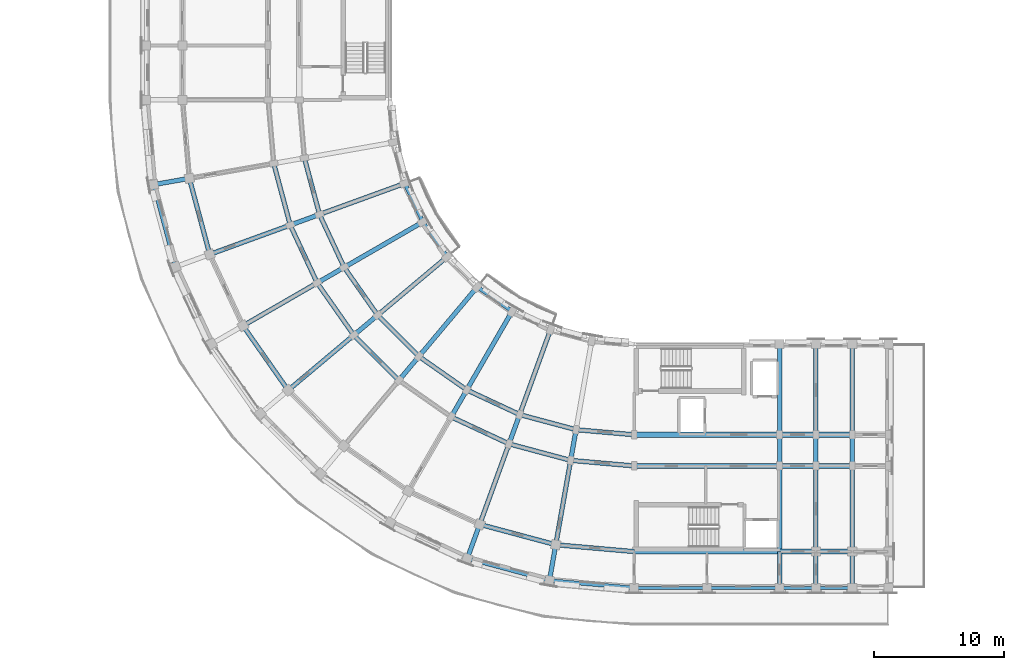
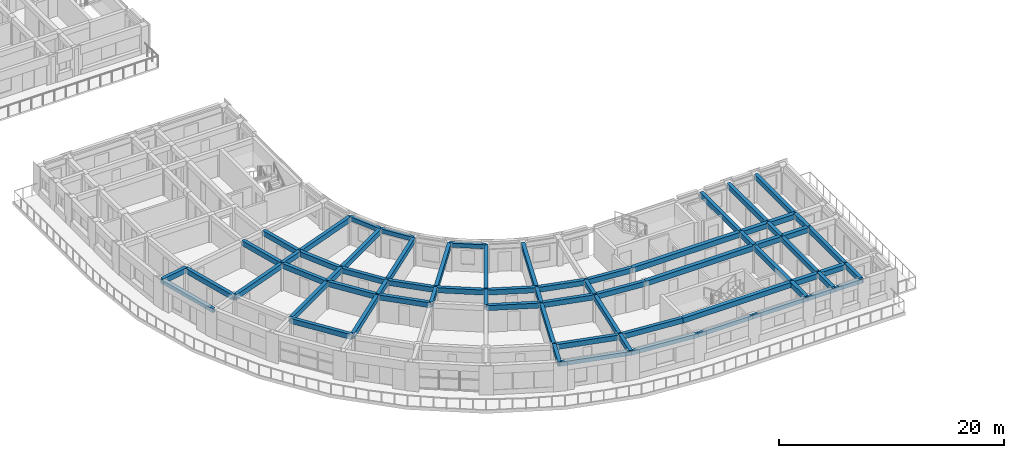
# One storey, part 5 of 54: 71 beams.
"""IFC4 building model written with IfcOpenShell, lengths in metres."""

import ifcopenshell
import ifcopenshell.guid

model = None  # the IFC model being written
_history = None  # IfcOwnerHistory: only IFC2X3 demands one
_inside = {}  # id of a spatial element -> (the spatial element, [elements in it])
_under = {}  # id of a project, library or spatial element -> (it, [spatial elements below it])
_declared = {}  # id of a project -> (the project, [libraries it declares])
_typed = {}  # id of a type object -> (the type object, [elements of that type])
_made_of = {}  # id of a material, layer set ... -> (it, [elements and type objects made of it])


def new_model(schema):
    """Start an empty IFC model of exactly this schema.

    Asked for "IFC4X3", IfcOpenShell would pick the latest addendum, in which some entities
    have other attributes; the version numbers below select the first issue.
    IFC2X3 requires an IfcOwnerHistory on every rooted entity: one is made here for all.
    """
    global model, _history
    if schema == "IFC4X3":
        model = ifcopenshell.file(schema_version=(4, 3, 0, 0))
    else:
        model = ifcopenshell.file(schema=schema)
    _inside.clear()
    _under.clear()
    _declared.clear()
    _typed.clear()
    _made_of.clear()
    _history = None
    if model.schema == "IFC2X3":
        org = make("IfcOrganization", Name="unknown")
        user = make(
            "IfcPersonAndOrganization",
            ThePerson=make("IfcPerson", FamilyName="unknown"),
            TheOrganization=org,
        )
        app = make(
            "IfcApplication",
            ApplicationDeveloper=org,
            Version="unknown",
            ApplicationFullName="unknown",
            ApplicationIdentifier="unknown",
        )
        _history = make(
            "IfcOwnerHistory",
            OwningUser=user,
            OwningApplication=app,
            ChangeAction="ADDED",
            CreationDate=0,
        )
    return model


def make(cls, **values):
    """One entity of the class cls with the attributes given. An attribute that is None is left unset."""
    return model.create_entity(
        cls, **{name: value for name, value in values.items() if value is not None}
    )


def rooted(cls, **values):
    """An entity with a GlobalId (a new one), such as an element, a storey or a relation."""
    return make(cls, GlobalId=ifcopenshell.guid.new(), OwnerHistory=_history, **values)


def si_unit(unit_type, name, prefix=None):
    """IfcSIUnit, for example si_unit("LENGTHUNIT", "METRE", prefix="MILLI")."""
    return make("IfcSIUnit", UnitType=unit_type, Prefix=prefix, Name=name)


def assignment(units):
    """IfcUnitAssignment: the units of a project."""
    return None if units is None else make("IfcUnitAssignment", Units=units)


def point(xyz):
    """IfcCartesianPoint."""
    return None if xyz is None else make("IfcCartesianPoint", Coordinates=xyz)


def direction(xyz):
    """IfcDirection."""
    return None if xyz is None else make("IfcDirection", DirectionRatios=xyz)


def frame(location, z_axis=None, x_axis=None):
    """IfcAxis2Placement3D, a coordinate frame: its origin and axes. An axis left out is left unset."""
    return make(
        "IfcAxis2Placement3D",
        Location=point(location),
        Axis=direction(z_axis),
        RefDirection=direction(x_axis),
    )


def frame_2d(location, x_axis=None):
    """IfcAxis2Placement2D, a coordinate frame in the plane: its origin and x axis."""
    return make(
        "IfcAxis2Placement2D", Location=point(location), RefDirection=direction(x_axis)
    )


def origin():
    """The frame at (0, 0, 0) with its axes left unset."""
    return frame((0.0, 0.0, 0.0))


def origin_2d():
    """The frame at (0, 0) in the plane with its x axis left unset."""
    return frame_2d((0.0, 0.0))


def place(relative_to, where):
    """IfcLocalPlacement: puts the frame where relative to a parent placement (None: the world)."""
    return make(
        "IfcLocalPlacement", PlacementRelTo=relative_to, RelativePlacement=where
    )


def context(
    kind, dimensions, precision=None, world=None, true_north=None, identifier=None
):
    """IfcGeometricRepresentationContext, for example the 3D "Model" context."""
    return make(
        "IfcGeometricRepresentationContext",
        ContextIdentifier=identifier,
        ContextType=kind,
        CoordinateSpaceDimension=dimensions,
        Precision=precision,
        WorldCoordinateSystem=world,
        TrueNorth=true_north,
    )


def subcontext(parent, identifier, kind, view, scale=None):
    """IfcGeometricRepresentationSubContext, for example "Body" below "Model"."""
    return make(
        "IfcGeometricRepresentationSubContext",
        ContextIdentifier=identifier,
        ContextType=kind,
        ParentContext=parent,
        TargetScale=scale,
        TargetView=view,
    )


def project(units=None, contexts=None):
    """IfcProject with its units and contexts."""
    return rooted(
        "IfcProject",
        Name="project",
        RepresentationContexts=contexts,
        UnitsInContext=assignment(units),
    )


def spatial(cls, under=None, at=None, **own):
    """A site, building, storey or space (cls), placed at a placement, below another one or the project."""
    s = rooted(cls, ObjectPlacement=at, **own)
    if under is not None:
        _under.setdefault(under.id(), (under, []))[1].append(s)
    return s


def profile(cls, at=None, kind="AREA", **sizes):
    """A parametric profile (cls). Its sizes go by their IFC names, for example OverallWidth=200.0."""
    return make(cls, ProfileType=kind, Position=at, **sizes)


def rectangle(**sizes):
    """IfcRectangleProfileDef."""
    return profile("IfcRectangleProfileDef", **sizes)


def extrude(swept, where, along, depth):
    """IfcExtrudedAreaSolid: the profile swept, set in the frame where, extruded along a direction by depth."""
    return make(
        "IfcExtrudedAreaSolid",
        SweptArea=swept,
        Position=where,
        ExtrudedDirection=direction(along),
        Depth=depth,
    )


def shape(context_of_items, identifier, shape_type, items):
    """IfcShapeRepresentation: the items that make up one representation, for example the "Body"."""
    return make(
        "IfcShapeRepresentation",
        ContextOfItems=context_of_items,
        RepresentationIdentifier=identifier,
        RepresentationType=shape_type,
        Items=items,
    )


def material(Name=None, Category=None):
    """IfcMaterial."""
    return make("IfcMaterial", Name=Name, Category=Category)


def material_profile(
    of_material, cross_section, Name=None, Category=None, Priority=None
):
    """IfcMaterialProfile: a cross section and its material."""
    return make(
        "IfcMaterialProfile",
        Name=Name,
        Material=of_material,
        Profile=cross_section,
        Priority=Priority,
        Category=Category,
    )


def profile_set(profiles, Name=None, composite=None):
    """IfcMaterialProfileSet."""
    return make(
        "IfcMaterialProfileSet",
        Name=Name,
        MaterialProfiles=profiles,
        CompositeProfile=composite,
    )


def made_of(thing, what):
    """Note that an element or type object is made of a material, layer set ...; save() writes the relation."""
    if what is not None:
        _made_of.setdefault(what.id(), (what, []))[1].append(thing)
    return thing


def type_object(cls, material=None, **own):
    """A type object (cls), such as IfcWallType, which elements share."""
    return made_of(rooted(cls, **own), material)


def element(
    cls,
    number,
    at=None,
    inside=None,
    cuts=None,
    type_object=None,
    material=None,
    context=None,
    identifier="Body",
    shape_type=None,
    held_by="IfcProductDefinitionShape",
    body=None,
    shapes=None,
    **own,
):
    """One element of the class cls, such as IfcWall. Its Tag is "e" and its number.

    at: its placement. inside: the storey or other place that contains it. cuts: it is an
    opening in that element (IfcRelVoidsElement). A single representation is given by context,
    identifier, shape_type and body (its items); several are given by shapes. held_by: the class
    of the entity that holds the representations. save() writes the other relations.
    """
    e = rooted(cls, Tag="e%d" % number, ObjectPlacement=at, **own)
    if body is not None:
        shapes = [shape(context, identifier, shape_type, body)]
    if shapes is not None:
        e.Representation = make(held_by, Representations=shapes)
    if inside is not None:
        _inside.setdefault(inside.id(), (inside, []))[1].append(e)
    if cuts is not None:
        rooted(
            "IfcRelVoidsElement", RelatingBuildingElement=cuts, RelatedOpeningElement=e
        )
    if type_object is not None:
        _typed.setdefault(type_object.id(), (type_object, []))[1].append(e)
    return made_of(e, material)


def aggregate(whole, parts):
    """IfcRelAggregates: a whole, such as a stair, and the parts it consists of."""
    return rooted("IfcRelAggregates", RelatingObject=whole, RelatedObjects=parts)


def save(model, path):
    """Write the relations noted so far, then the file.

    IfcRelAggregates (storeys below a building ...), IfcRelContainedInSpatialStructure (elements
    in a storey), IfcRelDefinesByType, IfcRelAssociatesMaterial and IfcRelDeclares: one each for
    every whole, place, type object, material and project.
    """
    for whole, parts in _under.values():
        aggregate(whole, parts)
    for where, things in _inside.values():
        rooted(
            "IfcRelContainedInSpatialStructure",
            RelatedElements=things,
            RelatingStructure=where,
        )
    for kind, things in _typed.values():
        rooted("IfcRelDefinesByType", RelatedObjects=things, RelatingType=kind)
    for what, things in _made_of.values():
        rooted("IfcRelAssociatesMaterial", RelatedObjects=things, RelatingMaterial=what)
    for by, libraries in _declared.values():
        rooted("IfcRelDeclares", RelatingContext=by, RelatedDefinitions=libraries)
    model.write(path)


model = new_model("IFC4")

# Units and contexts
model_context = context("Model", 3, precision=1e-05, world=origin(), true_north=direction((0.0, 1.0)))
body_context = subcontext(model_context, "Body", "Model", "MODEL_VIEW")
ifc_project = project(units=[si_unit("LENGTHUNIT", "METRE"), si_unit("AREAUNIT", "SQUARE_METRE"), si_unit("VOLUMEUNIT", "CUBIC_METRE"), si_unit("PLANEANGLEUNIT", "RADIAN"), si_unit("MASSUNIT", "GRAM", prefix="KILO")], contexts=[model_context])

# Site, building, storey
site_placement = place(None, origin())
site = spatial("IfcSite", under=ifc_project, at=site_placement, CompositionType="ELEMENT")
building_placement = place(site_placement, origin())
building = spatial("IfcBuilding", under=site, at=building_placement, Name="Kiranvali Square Residences", CompositionType="ELEMENT")
storey_placement = place(building_placement, frame((0.0, 0.0, 27.60009765625)))
storey = spatial("IfcBuildingStorey", under=building, at=storey_placement, Name="L08", CompositionType="ELEMENT", Elevation=27.60009765625)

# Beams
ifc_material_1 = material(Name="Concrete M40 (40 MPa)", Category="concrete")
ifc_material_profile_1 = material_profile(ifc_material_1, rectangle(XDim=0.35009765625, YDim=0.550048828125, at=origin_2d()), Name="RC 350x550")
ifc_profile_set_1 = profile_set([ifc_material_profile_1], Name="Concrete M40 (40 MPa)")
beam_type_1 = type_object("IfcBeamType", Name="BM-M40-350x550", PredefinedType="BEAM", material=ifc_profile_set_1)
beam_1_placement = place(storey_placement, frame((48.199951171875, 22.39990234375, 2.65478515625), z_axis=(-0.996191949488, 0.087187153726, 0.0), x_axis=(-0.087187153726, -0.996191949488, 0.0)))
element("IfcBeam", 1, at=beam_1_placement, inside=storey, type_object=beam_type_1, Name="L08 beam BM-C-L08-C00-R1", PredefinedType="BEAM", context=body_context, shape_type="SweptSolid", body=[
    extrude(rectangle(XDim=0.35009765625, YDim=0.550048828125, at=origin_2d()), origin(), (0.0, 0.0, 1.0), 4.4970703125),
])
beam_2_placement = place(storey_placement, frame((48.199951171875, 20.0, 2.65478515625), z_axis=(-0.996193663584, 0.087167566415, 0.0), x_axis=(-0.087167566415, -0.996193663584, 0.0)))
element("IfcBeam", 2, at=beam_2_placement, inside=storey, type_object=beam_type_1, Name="L08 beam BM-C-L08-C00-R2", PredefinedType="BEAM", context=body_context, shape_type="SweptSolid", body=[
    extrude(rectangle(XDim=0.35009765625, YDim=0.550048828125, at=origin_2d()), origin(), (0.0, 0.0, 1.0), 4.91552734375),
])
beam_3_placement = place(storey_placement, frame((48.199951171875, 13.39990234375, 2.65478515625), z_axis=(-0.996193018494, 0.087174938512, 0.0), x_axis=(-0.087174938512, -0.996193018494, 0.0)))
element("IfcBeam", 3, at=beam_3_placement, inside=storey, type_object=beam_type_1, Name="L08 beam BM-C-L08-C00-R3", PredefinedType="BEAM", context=body_context, shape_type="SweptSolid", body=[
    extrude(rectangle(XDim=0.35009765625, YDim=0.550048828125, at=origin_2d()), origin(), (0.0, 0.0, 1.0), 6.066162109375),
])
beam_4_placement = place(storey_placement, frame((43.719970703125, 22.7919921875, 2.65478515625), z_axis=(-0.965934240054, 0.258787642463, 0.0), x_axis=(-0.258787642463, -0.965934240054, 0.0)))
element("IfcBeam", 4, at=beam_4_placement, inside=storey, type_object=beam_type_1, Name="L08 beam BM-C-L08-C01-R1", PredefinedType="BEAM", context=body_context, shape_type="SweptSolid", body=[
    extrude(rectangle(XDim=0.35009765625, YDim=0.550048828125, at=origin_2d()), origin(), (0.0, 0.0, 1.0), 4.497314453125),
])
beam_5_placement = place(storey_placement, frame((43.30322265625, 20.428466796875, 2.65478515625), z_axis=(-0.965930095386, 0.258803112091, 0.0), x_axis=(-0.258803112091, -0.965930095386, 0.0)))
element("IfcBeam", 5, at=beam_5_placement, inside=storey, type_object=beam_type_1, Name="L08 beam BM-C-L08-C01-R2", PredefinedType="BEAM", context=body_context, shape_type="SweptSolid", body=[
    extrude(rectangle(XDim=0.35009765625, YDim=0.550048828125, at=origin_2d()), origin(), (0.0, 0.0, 1.0), 4.915771484375),
])
beam_6_placement = place(storey_placement, frame((42.156982421875, 13.9287109375, 2.65478515625), z_axis=(-0.965923618901, 0.258827283048, 0.0), x_axis=(-0.258827283048, -0.965923618901, 0.0)))
element("IfcBeam", 6, at=beam_6_placement, inside=storey, type_object=beam_type_1, Name="L08 beam BM-C-L08-C01-R3", PredefinedType="BEAM", context=body_context, shape_type="SweptSolid", body=[
    extrude(rectangle(XDim=0.35009765625, YDim=0.550048828125, at=origin_2d()), origin(), (0.0, 0.0, 1.0), 6.066162109375),
])
beam_7_placement = place(storey_placement, frame((39.3759765625, 23.955810546875, 2.65478515625), z_axis=(-0.906307919131, 0.422617978463, 0.0), x_axis=(-0.422617978463, -0.906307919131, 0.0)))
element("IfcBeam", 7, at=beam_7_placement, inside=storey, type_object=beam_type_1, Name="L08 beam BM-C-L08-C02-R1", PredefinedType="BEAM", context=body_context, shape_type="SweptSolid", body=[
    extrude(rectangle(XDim=0.35009765625, YDim=0.550048828125, at=origin_2d()), origin(), (0.0, 0.0, 1.0), 4.497314453125),
])
beam_8_placement = place(storey_placement, frame((38.554931640625, 21.70068359375, 2.65478515625), z_axis=(-0.906302381024, 0.422629854778, 0.0), x_axis=(-0.422629854778, -0.906302381024, 0.0)))
element("IfcBeam", 8, at=beam_8_placement, inside=storey, type_object=beam_type_1, Name="L08 beam BM-C-L08-C02-R2", PredefinedType="BEAM", context=body_context, shape_type="SweptSolid", body=[
    extrude(rectangle(XDim=0.35009765625, YDim=0.550048828125, at=origin_2d()), origin(), (0.0, 0.0, 1.0), 4.915283203125),
])
beam_9_placement = place(storey_placement, frame((35.300048828125, 25.8564453125, 2.65478515625), z_axis=(-0.819155404658, 0.573571637217, 0.0), x_axis=(-0.573571637217, -0.819155404658, 0.0)))
element("IfcBeam", 9, at=beam_9_placement, inside=storey, type_object=beam_type_1, Name="L08 beam BM-C-L08-C03-R1", PredefinedType="BEAM", context=body_context, shape_type="SweptSolid", body=[
    extrude(rectangle(XDim=0.35009765625, YDim=0.550048828125, at=origin_2d()), origin(), (0.0, 0.0, 1.0), 4.497314453125),
])
beam_10_placement = place(storey_placement, frame((31.615966796875, 28.43603515625, 2.65478515625), z_axis=(-0.707106781187, 0.707106781187, 0.0), x_axis=(-0.707106781187, -0.707106781187, 0.0)))
element("IfcBeam", 10, at=beam_10_placement, inside=storey, type_object=beam_type_1, Name="L08 beam BM-C-L08-C04-R1", PredefinedType="BEAM", context=body_context, shape_type="SweptSolid", body=[
    extrude(rectangle(XDim=0.35009765625, YDim=0.550048828125, at=origin_2d()), origin(), (0.0, 0.0, 1.0), 4.4970703125),
])
beam_11_placement = place(storey_placement, frame((30.073486328125, 26.59765625, 2.65478515625), z_axis=(-0.707106781187, 0.707106781187, 0.0), x_axis=(-0.707106781187, -0.707106781187, 0.0)))
element("IfcBeam", 11, at=beam_11_placement, inside=storey, type_object=beam_type_1, Name="L08 beam BM-C-L08-C04-R2", PredefinedType="BEAM", context=body_context, shape_type="SweptSolid", body=[
    extrude(rectangle(XDim=0.35009765625, YDim=0.550048828125, at=origin_2d()), origin(), (0.0, 0.0, 1.0), 4.91552734375),
])
beam_12_placement = place(storey_placement, frame((28.43603515625, 31.615966796875, 2.65478515625), z_axis=(-0.573571637217, 0.819155404658, 0.0), x_axis=(-0.819155404658, -0.573571637217, 0.0)))
element("IfcBeam", 12, at=beam_12_placement, inside=storey, type_object=beam_type_1, Name="L08 beam BM-C-L08-C05-R1", PredefinedType="BEAM", context=body_context, shape_type="SweptSolid", body=[
    extrude(rectangle(XDim=0.35009765625, YDim=0.550048828125, at=origin_2d()), origin(), (0.0, 0.0, 1.0), 4.497314453125),
])
beam_13_placement = place(storey_placement, frame((26.59765625, 30.073486328125, 2.65478515625), z_axis=(-0.573592335331, 0.819140911474, 0.0), x_axis=(-0.819140911474, -0.573592335331, 0.0)))
element("IfcBeam", 13, at=beam_13_placement, inside=storey, type_object=beam_type_1, Name="L08 beam BM-C-L08-C05-R2", PredefinedType="BEAM", context=body_context, shape_type="SweptSolid", body=[
    extrude(rectangle(XDim=0.35009765625, YDim=0.550048828125, at=origin_2d()), origin(), (0.0, 0.0, 1.0), 4.915771484375),
])
beam_14_placement = place(storey_placement, frame((21.541748046875, 25.8310546875, 2.65478515625), z_axis=(-0.573594691504, 0.81913926159, 0.0), x_axis=(-0.81913926159, -0.573594691504, 0.0)))
element("IfcBeam", 14, at=beam_14_placement, inside=storey, type_object=beam_type_1, Name="L08 beam BM-C-L08-C05-R3", PredefinedType="BEAM", context=body_context, shape_type="SweptSolid", body=[
    extrude(rectangle(XDim=0.35009765625, YDim=0.550048828125, at=origin_2d()), origin(), (0.0, 0.0, 1.0), 6.066162109375),
])
beam_15_placement = place(storey_placement, frame((25.8564453125, 35.300048828125, 2.65478515625), z_axis=(-0.422617978463, 0.906307919131, 0.0), x_axis=(-0.906307919131, -0.422617978463, 0.0)))
element("IfcBeam", 15, at=beam_15_placement, inside=storey, type_object=beam_type_1, Name="L08 beam BM-C-L08-C06-R1", PredefinedType="BEAM", context=body_context, shape_type="SweptSolid", body=[
    extrude(rectangle(XDim=0.35009765625, YDim=0.550048828125, at=origin_2d()), origin(), (0.0, 0.0, 1.0), 4.497314453125),
])
beam_16_placement = place(storey_placement, frame((23.778076171875, 34.10009765625, 2.65478515625), z_axis=(-0.422629854778, 0.906302381024, 0.0), x_axis=(-0.906302381024, -0.422629854778, 0.0)))
element("IfcBeam", 16, at=beam_16_placement, inside=storey, type_object=beam_type_1, Name="L08 beam BM-C-L08-C06-R2", PredefinedType="BEAM", context=body_context, shape_type="SweptSolid", body=[
    extrude(rectangle(XDim=0.35009765625, YDim=0.550048828125, at=origin_2d()), origin(), (0.0, 0.0, 1.0), 4.915283203125),
])
beam_17_placement = place(storey_placement, frame((23.955810546875, 39.3759765625, 2.65478515625), z_axis=(-0.258787642463, 0.965934240054, 0.0), x_axis=(-0.965934240054, -0.258787642463, 0.0)))
element("IfcBeam", 17, at=beam_17_placement, inside=storey, type_object=beam_type_1, Name="L08 beam BM-C-L08-C07-R1", PredefinedType="BEAM", context=body_context, shape_type="SweptSolid", body=[
    extrude(rectangle(XDim=0.35009765625, YDim=0.550048828125, at=origin_2d()), origin(), (0.0, 0.0, 1.0), 4.497314453125),
])
beam_18_placement = place(storey_placement, frame((21.70068359375, 38.554931640625, 2.65478515625), z_axis=(-0.258803112091, 0.965930095386, 0.0), x_axis=(-0.965930095386, -0.258803112091, 0.0)))
element("IfcBeam", 18, at=beam_18_placement, inside=storey, type_object=beam_type_1, Name="L08 beam BM-C-L08-C07-R2", PredefinedType="BEAM", context=body_context, shape_type="SweptSolid", body=[
    extrude(rectangle(XDim=0.35009765625, YDim=0.550048828125, at=origin_2d()), origin(), (0.0, 0.0, 1.0), 4.915771484375),
])
beam_19_placement = place(storey_placement, frame((15.498779296875, 36.297607421875, 2.65478515625), z_axis=(-0.258827283048, 0.965923618901, 0.0), x_axis=(-0.965923618901, -0.258827283048, 0.0)))
element("IfcBeam", 19, at=beam_19_placement, inside=storey, type_object=beam_type_1, Name="L08 beam BM-C-L08-C07-R3", PredefinedType="BEAM", context=body_context, shape_type="SweptSolid", body=[
    extrude(rectangle(XDim=0.35009765625, YDim=0.550048828125, at=origin_2d()), origin(), (0.0, 0.0, 1.0), 6.066162109375),
])
beam_20_placement = place(storey_placement, frame((43.719970703125, 22.7919921875, 2.65478515625), z_axis=(-0.173646056486, -0.984808127031, 0.0), x_axis=(0.984808127031, -0.173646056486, 0.0)))
element("IfcBeam", 20, at=beam_20_placement, inside=storey, type_object=beam_type_1, Name="L08 beam BM-C-L08-RAD01-12", PredefinedType="BEAM", context=body_context, shape_type="SweptSolid", body=[
    extrude(rectangle(XDim=0.35009765625, YDim=0.550048828125, at=origin_2d()), origin(), (0.0, 0.0, 1.0), 2.39990234375),
])
beam_21_placement = place(storey_placement, frame((43.30322265625, 20.428466796875, 2.65478515625), z_axis=(-0.173671381499, -0.984803661269, 0.0), x_axis=(0.984803661269, -0.173671381499, 0.0)))
element("IfcBeam", 21, at=beam_21_placement, inside=storey, type_object=beam_type_1, Name="L08 beam BM-C-L08-RAD01-23", PredefinedType="BEAM", context=body_context, shape_type="SweptSolid", body=[
    extrude(rectangle(XDim=0.35009765625, YDim=0.550048828125, at=origin_2d()), origin(), (0.0, 0.0, 1.0), 6.60009765625),
])
beam_22_placement = place(storey_placement, frame((42.156982421875, 13.9287109375, 2.69482421875), z_axis=(-0.173596320392, -0.984816895441, 0.0), x_axis=(0.984816895441, -0.173596320392, 0.0)))
element("IfcBeam", 22, at=beam_22_placement, inside=storey, type_object=beam_type_1, Name="L08 beam BM-C-L08-RAD01-34", PredefinedType="BEAM", context=body_context, shape_type="SweptSolid", body=[
    extrude(rectangle(XDim=0.35009765625, YDim=0.550048828125, at=origin_2d()), origin(), (0.0, 0.0, 1.0), 2.800048828125),
])
beam_23_placement = place(storey_placement, frame((41.77001953125, 30.53369140625, 2.65478515625), z_axis=(-0.342006283793, -0.939697665127, 0.0), x_axis=(0.939697665127, -0.342006283793, 0.0)))
element("IfcBeam", 23, at=beam_23_placement, inside=storey, type_object=beam_type_1, Name="L08 beam BM-C-L08-RAD02-01", PredefinedType="BEAM", context=body_context, shape_type="SweptSolid", body=[
    extrude(rectangle(XDim=0.35009765625, YDim=0.550048828125, at=origin_2d()), origin(), (0.0, 0.0, 1.0), 7.0),
])
beam_24_placement = place(storey_placement, frame((39.3759765625, 23.955810546875, 2.65478515625), z_axis=(-0.342110593602, -0.939659694648, 0.0), x_axis=(0.939659694648, -0.342110593602, 0.0)))
element("IfcBeam", 24, at=beam_24_placement, inside=storey, type_object=beam_type_1, Name="L08 beam BM-C-L08-RAD02-12", PredefinedType="BEAM", context=body_context, shape_type="SweptSolid", body=[
    extrude(rectangle(XDim=0.35009765625, YDim=0.550048828125, at=origin_2d()), origin(), (0.0, 0.0, 1.0), 2.39990234375),
])
beam_25_placement = place(storey_placement, frame((38.554931640625, 21.70068359375, 2.65478515625), z_axis=(-0.342022238372, -0.939691858249, 0.0), x_axis=(0.939691858249, -0.342022238372, 0.0)))
element("IfcBeam", 25, at=beam_25_placement, inside=storey, type_object=beam_type_1, Name="L08 beam BM-C-L08-RAD02-23", PredefinedType="BEAM", context=body_context, shape_type="SweptSolid", body=[
    extrude(rectangle(XDim=0.35009765625, YDim=0.550048828125, at=origin_2d()), origin(), (0.0, 0.0, 1.0), 6.599853515625),
])
beam_26_placement = place(storey_placement, frame((36.297607421875, 15.498779296875, 2.69482421875), z_axis=(-0.341981089711, -0.93970683422, 0.0), x_axis=(0.93970683422, -0.341981089711, 0.0)))
element("IfcBeam", 26, at=beam_26_placement, inside=storey, type_object=beam_type_1, Name="L08 beam BM-C-L08-RAD02-34", PredefinedType="BEAM", context=body_context, shape_type="SweptSolid", body=[
    extrude(rectangle(XDim=0.35009765625, YDim=0.550048828125, at=origin_2d()), origin(), (0.0, 0.0, 1.0), 2.7998046875),
])
beam_27_placement = place(storey_placement, frame((38.800048828125, 31.918701171875, 2.65478515625), z_axis=(-0.499995173006, -0.866028190633, 0.0), x_axis=(0.866028190633, -0.499995173006, 0.0)))
element("IfcBeam", 27, at=beam_27_placement, inside=storey, type_object=beam_type_1, Name="L08 beam BM-C-L08-RAD03-01", PredefinedType="BEAM", context=body_context, shape_type="SweptSolid", body=[
    extrude(rectangle(XDim=0.35009765625, YDim=0.550048828125, at=origin_2d()), origin(), (0.0, 0.0, 1.0), 7.0),
])
beam_28_placement = place(storey_placement, frame((35.300048828125, 25.8564453125, 2.65478515625), z_axis=(-0.500001309137, -0.866024647952, 0.0), x_axis=(0.866024647952, -0.500001309137, 0.0)))
element("IfcBeam", 28, at=beam_28_placement, inside=storey, type_object=beam_type_1, Name="L08 beam BM-C-L08-RAD03-12", PredefinedType="BEAM", context=body_context, shape_type="SweptSolid", body=[
    extrude(rectangle(XDim=0.35009765625, YDim=0.550048828125, at=origin_2d()), origin(), (0.0, 0.0, 1.0), 2.39990234375),
])
beam_29_placement = place(storey_placement, frame((36.115478515625, 33.79833984375, 2.65478515625), z_axis=(-0.642787931032, -0.766044173478, 0.0), x_axis=(0.766044173478, -0.642787931032, 0.0)))
element("IfcBeam", 29, at=beam_29_placement, inside=storey, type_object=beam_type_1, Name="L08 beam BM-C-L08-RAD04-01", PredefinedType="BEAM", context=body_context, shape_type="SweptSolid", body=[
    extrude(rectangle(XDim=0.35009765625, YDim=0.550048828125, at=origin_2d()), origin(), (0.0, 0.0, 1.0), 7.0),
])
beam_30_placement = place(storey_placement, frame((31.615966796875, 28.43603515625, 2.65478515625), z_axis=(-0.642762521781, -0.766065493671, 0.0), x_axis=(0.766065493671, -0.642762521781, 0.0)))
element("IfcBeam", 30, at=beam_30_placement, inside=storey, type_object=beam_type_1, Name="L08 beam BM-C-L08-RAD04-12", PredefinedType="BEAM", context=body_context, shape_type="SweptSolid", body=[
    extrude(rectangle(XDim=0.35009765625, YDim=0.550048828125, at=origin_2d()), origin(), (0.0, 0.0, 1.0), 2.399658203125),
])
beam_31_placement = place(storey_placement, frame((33.79833984375, 36.115478515625, 2.65478515625), z_axis=(-0.766044173478, -0.642787931032, 0.0), x_axis=(0.642787931032, -0.766044173478, 0.0)))
element("IfcBeam", 31, at=beam_31_placement, inside=storey, type_object=beam_type_1, Name="L08 beam BM-C-L08-RAD05-01", PredefinedType="BEAM", context=body_context, shape_type="SweptSolid", body=[
    extrude(rectangle(XDim=0.35009765625, YDim=0.550048828125, at=origin_2d()), origin(), (0.0, 0.0, 1.0), 7.0),
])
beam_32_placement = place(storey_placement, frame((28.43603515625, 31.615966796875, 2.65478515625), z_axis=(-0.766065493671, -0.642762521781, 0.0), x_axis=(0.642762521781, -0.766065493671, 0.0)))
element("IfcBeam", 32, at=beam_32_placement, inside=storey, type_object=beam_type_1, Name="L08 beam BM-C-L08-RAD05-12", PredefinedType="BEAM", context=body_context, shape_type="SweptSolid", body=[
    extrude(rectangle(XDim=0.35009765625, YDim=0.550048828125, at=origin_2d()), origin(), (0.0, 0.0, 1.0), 2.399658203125),
])
beam_33_placement = place(storey_placement, frame((26.59765625, 30.073486328125, 2.65478515625), z_axis=(-0.766042881449, -0.642789470807, 0.0), x_axis=(0.642789470807, -0.766042881449, 0.0)))
element("IfcBeam", 33, at=beam_33_placement, inside=storey, type_object=beam_type_1, Name="L08 beam BM-C-L08-RAD05-23", PredefinedType="BEAM", context=body_context, shape_type="SweptSolid", body=[
    extrude(rectangle(XDim=0.35009765625, YDim=0.550048828125, at=origin_2d()), origin(), (0.0, 0.0, 1.0), 6.60009765625),
])
beam_34_placement = place(storey_placement, frame((31.918701171875, 38.800048828125, 2.65478515625), z_axis=(-0.866028190633, -0.499995173006, 0.0), x_axis=(0.499995173006, -0.866028190633, 0.0)))
element("IfcBeam", 34, at=beam_34_placement, inside=storey, type_object=beam_type_1, Name="L08 beam BM-C-L08-RAD06-01", PredefinedType="BEAM", context=body_context, shape_type="SweptSolid", body=[
    extrude(rectangle(XDim=0.35009765625, YDim=0.550048828125, at=origin_2d()), origin(), (0.0, 0.0, 1.0), 7.0),
])
beam_35_placement = place(storey_placement, frame((25.8564453125, 35.300048828125, 2.65478515625), z_axis=(-0.866024647952, -0.500001309137, 0.0), x_axis=(0.500001309137, -0.866024647952, 0.0)))
element("IfcBeam", 35, at=beam_35_placement, inside=storey, type_object=beam_type_1, Name="L08 beam BM-C-L08-RAD06-12", PredefinedType="BEAM", context=body_context, shape_type="SweptSolid", body=[
    extrude(rectangle(XDim=0.35009765625, YDim=0.550048828125, at=origin_2d()), origin(), (0.0, 0.0, 1.0), 2.39990234375),
])
beam_36_placement = place(storey_placement, frame((23.778076171875, 34.10009765625, 2.65478515625), z_axis=(-0.866024194504, -0.500002094529, 0.0), x_axis=(0.500002094529, -0.866024194504, 0.0)))
element("IfcBeam", 36, at=beam_36_placement, inside=storey, type_object=beam_type_1, Name="L08 beam BM-C-L08-RAD06-23", PredefinedType="BEAM", context=body_context, shape_type="SweptSolid", body=[
    extrude(rectangle(XDim=0.35009765625, YDim=0.550048828125, at=origin_2d()), origin(), (0.0, 0.0, 1.0), 6.60009765625),
])
beam_37_placement = place(storey_placement, frame((30.53369140625, 41.77001953125, 2.65478515625), z_axis=(-0.939697665127, -0.342006283793, 0.0), x_axis=(0.342006283793, -0.939697665127, 0.0)))
element("IfcBeam", 37, at=beam_37_placement, inside=storey, type_object=beam_type_1, Name="L08 beam BM-C-L08-RAD07-01", PredefinedType="BEAM", context=body_context, shape_type="SweptSolid", body=[
    extrude(rectangle(XDim=0.35009765625, YDim=0.550048828125, at=origin_2d()), origin(), (0.0, 0.0, 1.0), 7.0),
])
beam_38_placement = place(storey_placement, frame((23.955810546875, 39.3759765625, 2.65478515625), z_axis=(-0.939659694648, -0.342110593602, 0.0), x_axis=(0.342110593602, -0.939659694648, 0.0)))
element("IfcBeam", 38, at=beam_38_placement, inside=storey, type_object=beam_type_1, Name="L08 beam BM-C-L08-RAD07-12", PredefinedType="BEAM", context=body_context, shape_type="SweptSolid", body=[
    extrude(rectangle(XDim=0.35009765625, YDim=0.550048828125, at=origin_2d()), origin(), (0.0, 0.0, 1.0), 2.39990234375),
])
beam_39_placement = place(storey_placement, frame((21.70068359375, 38.554931640625, 2.65478515625), z_axis=(-0.939691858249, -0.342022238372, 0.0), x_axis=(0.342022238372, -0.939691858249, 0.0)))
element("IfcBeam", 39, at=beam_39_placement, inside=storey, type_object=beam_type_1, Name="L08 beam BM-C-L08-RAD07-23", PredefinedType="BEAM", context=body_context, shape_type="SweptSolid", body=[
    extrude(rectangle(XDim=0.35009765625, YDim=0.550048828125, at=origin_2d()), origin(), (0.0, 0.0, 1.0), 6.599853515625),
])
beam_40_placement = place(storey_placement, frame((13.9287109375, 42.156982421875, 2.69482421875), z_axis=(-0.984816895441, -0.173596320392, 0.0), x_axis=(0.173596320392, -0.984816895441, 0.0)))
element("IfcBeam", 40, at=beam_40_placement, inside=storey, type_object=beam_type_1, Name="L08 beam BM-C-L08-RAD08-34", PredefinedType="BEAM", context=body_context, shape_type="SweptSolid", body=[
    extrude(rectangle(XDim=0.35009765625, YDim=0.550048828125, at=origin_2d()), origin(), (0.0, 0.0, 1.0), 2.800048828125),
])
beam_41_placement = place(storey_placement, frame((59.39990234375, 29.39990234375, 2.65478515625), z_axis=(0.0, -1.0, 0.0), x_axis=(1.0, 0.0, 0.0)))
element("IfcBeam", 41, at=beam_41_placement, inside=storey, type_object=beam_type_1, Name="L08 beam BM-C-L08-A1T1-01", PredefinedType="BEAM", context=body_context, shape_type="SweptSolid", body=[
    extrude(rectangle(XDim=0.35009765625, YDim=0.550048828125, at=origin_2d()), origin(), (0.0, 0.0, 1.0), 7.0),
])
beam_42_placement = place(storey_placement, frame((59.39990234375, 22.39990234375, 2.65478515625), z_axis=(0.0, -1.0, 0.0), x_axis=(1.0, 0.0, 0.0)))
element("IfcBeam", 42, at=beam_42_placement, inside=storey, type_object=beam_type_1, Name="L08 beam BM-C-L08-A1T1-12", PredefinedType="BEAM", context=body_context, shape_type="SweptSolid", body=[
    extrude(rectangle(XDim=0.35009765625, YDim=0.550048828125, at=origin_2d()), origin(), (0.0, 0.0, 1.0), 2.39990234375),
])
beam_43_placement = place(storey_placement, frame((59.39990234375, 20.0, 2.65478515625), z_axis=(0.0, -1.0, 0.0), x_axis=(1.0, 0.0, 0.0)))
element("IfcBeam", 43, at=beam_43_placement, inside=storey, type_object=beam_type_1, Name="L08 beam BM-C-L08-A1T1-23", PredefinedType="BEAM", context=body_context, shape_type="SweptSolid", body=[
    extrude(rectangle(XDim=0.35009765625, YDim=0.550048828125, at=origin_2d()), origin(), (0.0, 0.0, 1.0), 6.60009765625),
])
beam_44_placement = place(storey_placement, frame((59.39990234375, 13.39990234375, 2.69482421875), z_axis=(0.0, -1.0, 0.0), x_axis=(1.0, 0.0, 0.0)))
element("IfcBeam", 44, at=beam_44_placement, inside=storey, type_object=beam_type_1, Name="L08 beam BM-C-L08-A1T1-34", PredefinedType="BEAM", context=body_context, shape_type="SweptSolid", body=[
    extrude(rectangle(XDim=0.35009765625, YDim=0.550048828125, at=origin_2d()), origin(), (0.0, 0.0, 1.0), 2.7998046875),
])
beam_45_placement = place(storey_placement, frame((62.199951171875, 29.39990234375, 2.65478515625), z_axis=(0.0, -1.0, 0.0), x_axis=(1.0, 0.0, 0.0)))
element("IfcBeam", 45, at=beam_45_placement, inside=storey, type_object=beam_type_1, Name="L08 beam BM-C-L08-A1T2-01", PredefinedType="BEAM", context=body_context, shape_type="SweptSolid", body=[
    extrude(rectangle(XDim=0.35009765625, YDim=0.550048828125, at=origin_2d()), origin(), (0.0, 0.0, 1.0), 7.0),
])
beam_46_placement = place(storey_placement, frame((62.199951171875, 22.39990234375, 2.65478515625), z_axis=(0.0, -1.0, 0.0), x_axis=(1.0, 0.0, 0.0)))
element("IfcBeam", 46, at=beam_46_placement, inside=storey, type_object=beam_type_1, Name="L08 beam BM-C-L08-A1T2-12", PredefinedType="BEAM", context=body_context, shape_type="SweptSolid", body=[
    extrude(rectangle(XDim=0.35009765625, YDim=0.550048828125, at=origin_2d()), origin(), (0.0, 0.0, 1.0), 2.39990234375),
])
beam_47_placement = place(storey_placement, frame((62.199951171875, 20.0, 2.65478515625), z_axis=(0.0, -1.0, 0.0), x_axis=(1.0, 0.0, 0.0)))
element("IfcBeam", 47, at=beam_47_placement, inside=storey, type_object=beam_type_1, Name="L08 beam BM-C-L08-A1T2-23", PredefinedType="BEAM", context=body_context, shape_type="SweptSolid", body=[
    extrude(rectangle(XDim=0.35009765625, YDim=0.550048828125, at=origin_2d()), origin(), (0.0, 0.0, 1.0), 6.60009765625),
])
beam_48_placement = place(storey_placement, frame((62.199951171875, 13.39990234375, 2.69482421875), z_axis=(0.0, -1.0, 0.0), x_axis=(1.0, 0.0, 0.0)))
element("IfcBeam", 48, at=beam_48_placement, inside=storey, type_object=beam_type_1, Name="L08 beam BM-C-L08-A1T2-34", PredefinedType="BEAM", context=body_context, shape_type="SweptSolid", body=[
    extrude(rectangle(XDim=0.35009765625, YDim=0.550048828125, at=origin_2d()), origin(), (0.0, 0.0, 1.0), 2.7998046875),
])
beam_49_placement = place(storey_placement, frame((65.0, 29.39990234375, 2.65478515625), z_axis=(0.0, -1.0, 0.0), x_axis=(1.0, 0.0, 0.0)))
element("IfcBeam", 49, at=beam_49_placement, inside=storey, type_object=beam_type_1, Name="L08 beam BM-C-L08-A1T3-01", PredefinedType="BEAM", context=body_context, shape_type="SweptSolid", body=[
    extrude(rectangle(XDim=0.35009765625, YDim=0.550048828125, at=origin_2d()), origin(), (0.0, 0.0, 1.0), 7.0),
])
beam_50_placement = place(storey_placement, frame((65.0, 22.39990234375, 2.65478515625), z_axis=(0.0, -1.0, 0.0), x_axis=(1.0, 0.0, 0.0)))
element("IfcBeam", 50, at=beam_50_placement, inside=storey, type_object=beam_type_1, Name="L08 beam BM-C-L08-A1T3-12", PredefinedType="BEAM", context=body_context, shape_type="SweptSolid", body=[
    extrude(rectangle(XDim=0.35009765625, YDim=0.550048828125, at=origin_2d()), origin(), (0.0, 0.0, 1.0), 2.39990234375),
])
beam_51_placement = place(storey_placement, frame((65.0, 20.0, 2.65478515625), z_axis=(0.0, -1.0, 0.0), x_axis=(1.0, 0.0, 0.0)))
element("IfcBeam", 51, at=beam_51_placement, inside=storey, type_object=beam_type_1, Name="L08 beam BM-C-L08-A1T3-23", PredefinedType="BEAM", context=body_context, shape_type="SweptSolid", body=[
    extrude(rectangle(XDim=0.35009765625, YDim=0.550048828125, at=origin_2d()), origin(), (0.0, 0.0, 1.0), 6.60009765625),
])
beam_52_placement = place(storey_placement, frame((65.0, 13.39990234375, 2.69482421875), z_axis=(0.0, -1.0, 0.0), x_axis=(1.0, 0.0, 0.0)))
element("IfcBeam", 52, at=beam_52_placement, inside=storey, type_object=beam_type_1, Name="L08 beam BM-C-L08-A1T3-34", PredefinedType="BEAM", context=body_context, shape_type="SweptSolid", body=[
    extrude(rectangle(XDim=0.35009765625, YDim=0.550048828125, at=origin_2d()), origin(), (0.0, 0.0, 1.0), 2.7998046875),
])
ifc_material_2 = material(Name="Concrete M45 (45 MPa)", Category="concrete")
ifc_material_profile_2 = material_profile(ifc_material_2, rectangle(XDim=0.39990234375, YDim=0.550048828125, at=origin_2d()), Name="RC 400x550")
ifc_profile_set_2 = profile_set([ifc_material_profile_2], Name="Concrete M45 (45 MPa)")
beam_type_2 = type_object("IfcBeamType", Name="BM-M45-400x550", PredefinedType="BEAM", material=ifc_profile_set_2)
beam_53_placement = place(storey_placement, frame((48.199951171875, 22.39990234375, 2.65478515625), z_axis=(1.0, 0.0, 0.0), x_axis=(0.0, 1.0, 0.0)))
element("IfcBeam", 53, at=beam_53_placement, inside=storey, type_object=beam_type_2, Name="L08 beam BM-C-L08-A1U0-R1", PredefinedType="BEAM", context=body_context, shape_type="SweptSolid", body=[
    extrude(rectangle(XDim=0.39990234375, YDim=0.550048828125, at=origin_2d()), origin(), (0.0, 0.0, 1.0), 11.199951171875),
])
for number, where, z_axis, x_axis, name in (
    (54, (59.39990234375, 22.39990234375, 2.65478515625), (1.0, 0.0, 0.0), (0.0, 1.0, 0.0), "L08 beam BM-C-L08-A1U1-R1"),
    (55, (62.199951171875, 22.39990234375, 2.65478515625), (1.0, 0.0, 0.0), (0.0, 1.0, 0.0), "L08 beam BM-C-L08-A1U2-R1"),
):
    element("IfcBeam", number, at=place(storey_placement, frame(where, z_axis=z_axis, x_axis=x_axis)), inside=storey, type_object=beam_type_2, Name=name, PredefinedType="BEAM", context=body_context, shape_type="SweptSolid", body=[
        extrude(rectangle(XDim=0.39990234375, YDim=0.550048828125, at=origin_2d()), origin(), (0.0, 0.0, 1.0), 2.800048828125),
    ])
beam_54_placement = place(storey_placement, frame((48.199951171875, 20.0, 2.65478515625), z_axis=(1.0, 0.0, 0.0), x_axis=(0.0, 1.0, 0.0)))
element("IfcBeam", 56, at=beam_54_placement, inside=storey, type_object=beam_type_2, Name="L08 beam BM-C-L08-A1U0-R2", PredefinedType="BEAM", context=body_context, shape_type="SweptSolid", body=[
    extrude(rectangle(XDim=0.39990234375, YDim=0.550048828125, at=origin_2d()), origin(), (0.0, 0.0, 1.0), 11.199951171875),
])
for number, where, z_axis, x_axis, name in (
    (57, (59.39990234375, 20.0, 2.65478515625), (1.0, 0.0, 0.0), (0.0, 1.0, 0.0), "L08 beam BM-C-L08-A1U1-R2"),
    (58, (62.199951171875, 20.0, 2.65478515625), (1.0, 0.0, 0.0), (0.0, 1.0, 0.0), "L08 beam BM-C-L08-A1U2-R2"),
):
    element("IfcBeam", number, at=place(storey_placement, frame(where, z_axis=z_axis, x_axis=x_axis)), inside=storey, type_object=beam_type_2, Name=name, PredefinedType="BEAM", context=body_context, shape_type="SweptSolid", body=[
        extrude(rectangle(XDim=0.39990234375, YDim=0.550048828125, at=origin_2d()), origin(), (0.0, 0.0, 1.0), 2.800048828125),
    ])
beam_55_placement = place(storey_placement, frame((48.199951171875, 13.39990234375, 2.65478515625), z_axis=(1.0, 0.0, 0.0), x_axis=(0.0, 1.0, 0.0)))
element("IfcBeam", 59, at=beam_55_placement, inside=storey, type_object=beam_type_2, Name="L08 beam BM-C-L08-A1U0-R3", PredefinedType="BEAM", context=body_context, shape_type="SweptSolid", body=[
    extrude(rectangle(XDim=0.39990234375, YDim=0.550048828125, at=origin_2d()), origin(), (0.0, 0.0, 1.0), 11.199951171875),
])
for number, where, z_axis, x_axis, name in (
    (60, (59.39990234375, 13.39990234375, 2.65478515625), (1.0, 0.0, 0.0), (0.0, 1.0, 0.0), "L08 beam BM-C-L08-A1U1-R3"),
    (61, (62.199951171875, 13.39990234375, 2.65478515625), (1.0, 0.0, 0.0), (0.0, 1.0, 0.0), "L08 beam BM-C-L08-A1U2-R3"),
):
    element("IfcBeam", number, at=place(storey_placement, frame(where, z_axis=z_axis, x_axis=x_axis)), inside=storey, type_object=beam_type_2, Name=name, PredefinedType="BEAM", context=body_context, shape_type="SweptSolid", body=[
        extrude(rectangle(XDim=0.39990234375, YDim=0.550048828125, at=origin_2d()), origin(), (0.0, 0.0, 1.0), 2.800048828125),
    ])
ifc_material_profile_3 = material_profile(ifc_material_1, rectangle(XDim=0.25, YDim=0.449951171875, at=origin_2d()), Name="RC 250x450")
ifc_profile_set_3 = profile_set([ifc_material_profile_3], Name="Concrete M40 (40 MPa)")
beam_type_3 = type_object("IfcBeamType", Name="SPN-M40-250x450", PredefinedType="SPANDREL", material=ifc_profile_set_3)
beam_56_placement = place(storey_placement, frame((48.199951171875, 10.60009765625, 2.744873046875), z_axis=(1.0, 0.0, 0.0), x_axis=(0.0, 1.0, 0.0)))
element("IfcBeam", 62, at=beam_56_placement, inside=storey, type_object=beam_type_3, Name="L08 beam BM-C-L08-A1U0-R4", PredefinedType="SPANDREL", context=body_context, shape_type="SweptSolid", body=[
    extrude(rectangle(XDim=0.25, YDim=0.449951171875, at=origin_2d()), origin(), (0.0, 0.0, 1.0), 5.60009765625),
])
beam_57_placement = place(storey_placement, frame((53.800048828125, 10.60009765625, 2.744873046875), z_axis=(1.0, 0.0, 0.0), x_axis=(0.0, 1.0, 0.0)))
element("IfcBeam", 63, at=beam_57_placement, inside=storey, type_object=beam_type_3, Name="L08 beam BM-C-L08-A1U1-R4", PredefinedType="SPANDREL", context=body_context, shape_type="SweptSolid", body=[
    extrude(rectangle(XDim=0.25, YDim=0.449951171875, at=origin_2d()), origin(), (0.0, 0.0, 1.0), 5.599853515625),
])
for number, where, z_axis, x_axis, name in (
    (64, (59.39990234375, 10.60009765625, 2.744873046875), (1.0, 0.0, 0.0), (0.0, 1.0, 0.0), "L08 beam BM-C-L08-A1U2-R4"),
    (65, (62.199951171875, 10.60009765625, 2.744873046875), (1.0, 0.0, 0.0), (0.0, 1.0, 0.0), "L08 beam BM-C-L08-A1U3-R4"),
):
    element("IfcBeam", number, at=place(storey_placement, frame(where, z_axis=z_axis, x_axis=x_axis)), inside=storey, type_object=beam_type_3, Name=name, PredefinedType="SPANDREL", context=body_context, shape_type="SweptSolid", body=[
        extrude(rectangle(XDim=0.25, YDim=0.449951171875, at=origin_2d()), origin(), (0.0, 0.0, 1.0), 2.800048828125),
    ])
ifc_material_profile_4 = material_profile(ifc_material_1, rectangle(XDim=0.300048828125, YDim=0.449951171875, at=origin_2d()), Name="RC 300x450")
ifc_profile_set_4 = profile_set([ifc_material_profile_4], Name="Concrete M40 (40 MPa)")
beam_type_4 = type_object("IfcBeamType", Name="SPN-M40-300x450", PredefinedType="SPANDREL", material=ifc_profile_set_4)
beam_58_placement = place(storey_placement, frame((48.199951171875, 10.60009765625, 2.744873046875), z_axis=(-0.996196991902, 0.0871295204, 0.0), x_axis=(-0.0871295204, -0.996196991902, 0.0)))
element("IfcBeam", 66, at=beam_58_placement, inside=storey, type_object=beam_type_4, Name="L08 beam BM-C-L08-C00-R4", PredefinedType="SPANDREL", context=body_context, shape_type="SweptSolid", body=[
    extrude(rectangle(XDim=0.300048828125, YDim=0.449951171875, at=origin_2d()), origin(), (0.0, 0.0, 1.0), 6.553955078125),
])
beam_59_placement = place(storey_placement, frame((41.6708984375, 11.171142578125, 2.744873046875), z_axis=(-0.965918287583, 0.258847178297, 0.0), x_axis=(-0.258847178297, -0.965918287583, 0.0)))
element("IfcBeam", 67, at=beam_59_placement, inside=storey, type_object=beam_type_4, Name="L08 beam BM-C-L08-C01-R4", PredefinedType="SPANDREL", context=body_context, shape_type="SweptSolid", body=[
    extrude(rectangle(XDim=0.300048828125, YDim=0.449951171875, at=origin_2d()), origin(), (0.0, 0.0, 1.0), 6.55419921875),
])
for number, where, z_axis, x_axis, name in (
    (68, (38.800048828125, 31.918701171875, 2.704833984375), (-0.81916891812, 0.573552337269, 0.0), (-0.573552337269, -0.81916891812, 0.0), "L08 beam BM-C-L08-C03-R0"),
    (69, (33.79833984375, 36.115478515625, 2.704833984375), (-0.573552337269, 0.81916891812, 0.0), (-0.81916891812, -0.573552337269, 0.0), "L08 beam BM-C-L08-C05-R0"),
    (70, (31.918701171875, 38.800048828125, 2.704833984375), (-0.422640740585, 0.90629730464, 0.0), (-0.90629730464, -0.422640740585, 0.0), "L08 beam BM-C-L08-C06-R0"),
):
    element("IfcBeam", number, at=place(storey_placement, frame(where, z_axis=z_axis, x_axis=x_axis)), inside=storey, type_object=beam_type_4, Name=name, PredefinedType="SPANDREL", context=body_context, shape_type="SweptSolid", body=[
        extrude(rectangle(XDim=0.300048828125, YDim=0.449951171875, at=origin_2d()), origin(), (0.0, 0.0, 1.0), 3.277099609375),
    ])
beam_60_placement = place(storey_placement, frame((12.86767578125, 35.340087890625, 2.744873046875), z_axis=(-0.258847178297, 0.965918287583, 0.0), x_axis=(-0.965918287583, -0.258847178297, 0.0)))
element("IfcBeam", 71, at=beam_60_placement, inside=storey, type_object=beam_type_4, Name="L08 beam BM-C-L08-C07-R4", PredefinedType="SPANDREL", context=body_context, shape_type="SweptSolid", body=[
    extrude(rectangle(XDim=0.300048828125, YDim=0.449951171875, at=origin_2d()), origin(), (0.0, 0.0, 1.0), 6.55419921875),
])

save(model, "model.ifc")
